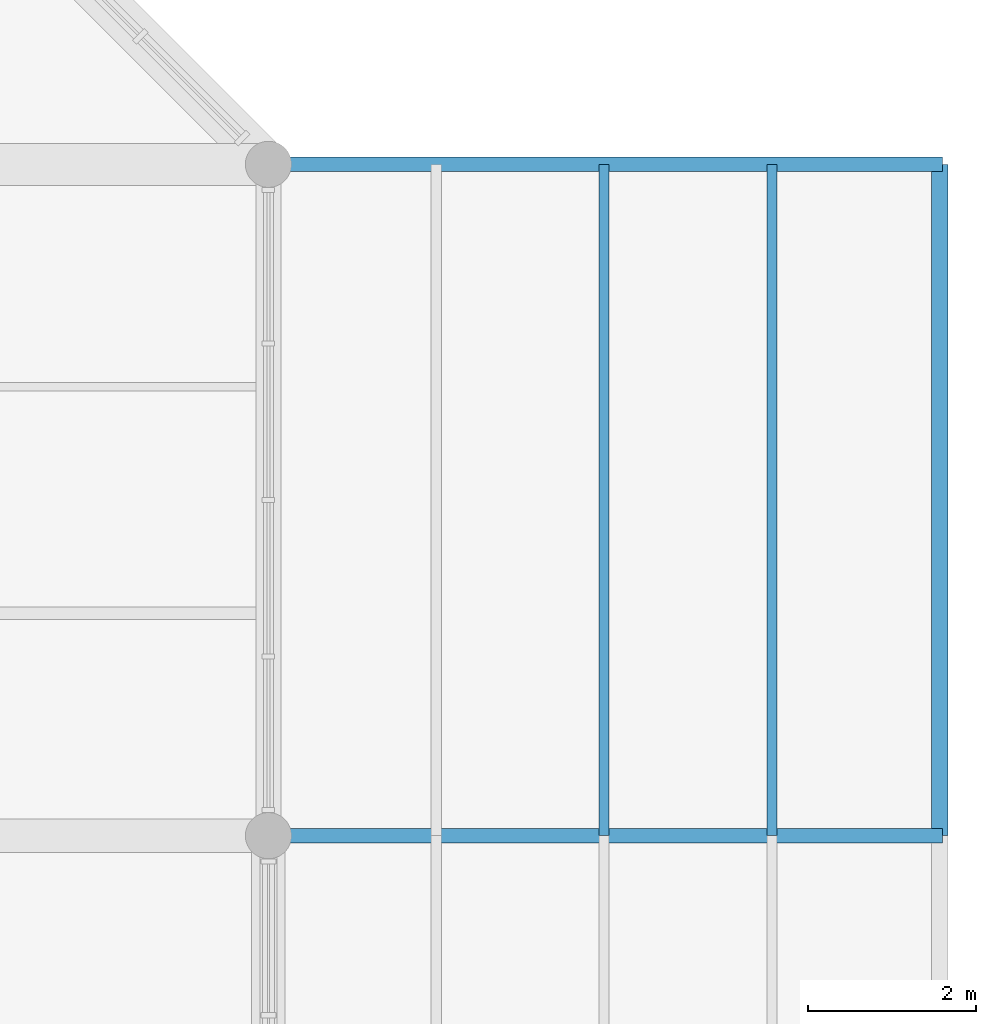
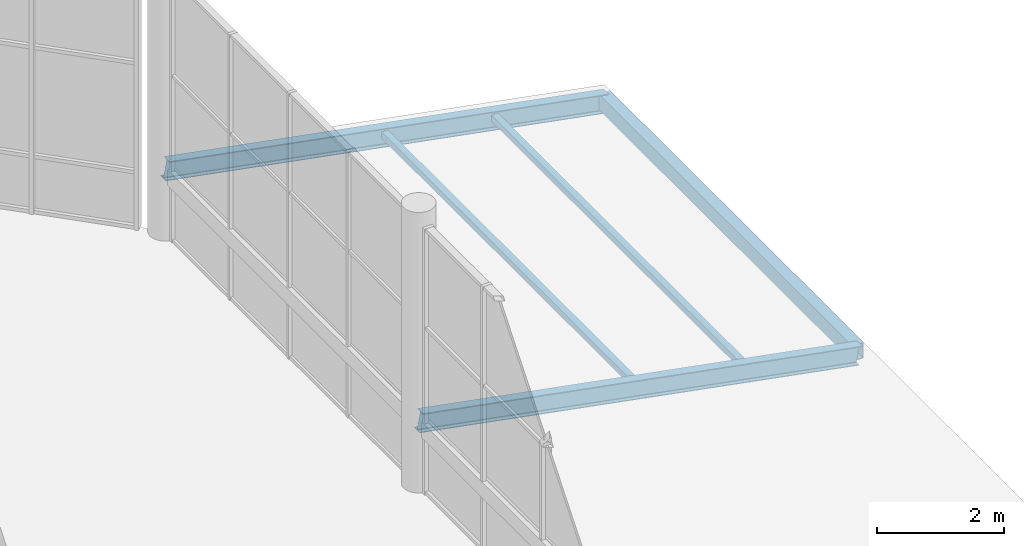
# One storey, part 65 of 122: 3 beams, 2 members.
"""IFC4 building model written with IfcOpenShell, lengths in metres."""

from ifc_helpers import new_model, si_unit, direction, frame, origin, origin_2d, place, context, subcontext, project, spatial, hollow_rectangle, i_section, extrude, material, material_profile, profile_set, type_object, element, save


model = new_model("IFC4")

# Units and contexts
model_context = context("Model", 3, precision=1e-05, world=origin(), true_north=direction((0.0, 1.0)))
body_context = subcontext(model_context, "Body", "Model", "MODEL_VIEW")
ifc_project = project(units=[si_unit("LENGTHUNIT", "METRE"), si_unit("AREAUNIT", "SQUARE_METRE"), si_unit("VOLUMEUNIT", "CUBIC_METRE"), si_unit("PLANEANGLEUNIT", "RADIAN"), si_unit("MASSUNIT", "GRAM", prefix="KILO")], contexts=[model_context])

# Site, building, storey
site_placement = place(None, origin())
site = spatial("IfcSite", under=ifc_project, at=site_placement, CompositionType="ELEMENT")
building_placement = place(site_placement, origin())
building = spatial("IfcBuilding", under=site, at=building_placement, Name="Tenunan Teduh Sports Hall", CompositionType="ELEMENT")
storey_placement = place(building_placement, frame((0.0, 0.0, 5.39990234375)))
storey = spatial("IfcBuildingStorey", under=building, at=storey_placement, Name="L01", CompositionType="ELEMENT", Elevation=5.39990234375)

# Members
ifc_material_1 = material(Name="Steel S355", Category="steel")
ifc_material_profile_1 = material_profile(ifc_material_1, hollow_rectangle(XDim=0.1201171875, YDim=0.1201171875, WallThickness=0.00634765625, at=origin_2d()), Name="SHS 120x120x6.3")
ifc_profile_set_1 = profile_set([ifc_material_profile_1], Name="Steel S355")
member_type = type_object("IfcMemberType", Name="MEM-PR-SHS120", PredefinedType="PURLIN", material=ifc_profile_set_1)
for number, where, z_axis, x_axis, name in (
    (1, (166.0, 102.0, 0.47021484375), (0.0, 1.0, 0.0), (-1.0, 0.0, 0.0), "MEM-PR-02-L01-1033"),
    (2, (168.0, 102.0, 0.09521484375), (0.0, 1.0, 0.0), (-1.0, 0.0, 0.0), "MEM-PR-02-L01-1034"),
):
    element("IfcMember", number, at=place(storey_placement, frame(where, z_axis=z_axis, x_axis=x_axis)), inside=storey, type_object=member_type, Name=name, PredefinedType="PURLIN", context=body_context, shape_type="SweptSolid", body=[
        extrude(hollow_rectangle(XDim=0.1201171875, YDim=0.1201171875, WallThickness=0.00634765625, at=origin_2d()), origin(), (0.0, 0.0, 1.0), 7.996337890625),
    ])

# Beams
ifc_material_2 = material(Name="Steel S355", Category="steel")
ifc_material_profile_2 = material_profile(ifc_material_2, hollow_rectangle(XDim=0.199951171875, YDim=0.300048828125, WallThickness=0.010009765625, at=origin_2d()), Name="RHS 300x200x10.0")
ifc_profile_set_2 = profile_set([ifc_material_profile_2], Name="Steel S355")
beam_type_1 = type_object("IfcBeamType", Name="RBM-RHS300", PredefinedType="BEAM", material=ifc_profile_set_2)
beam_placement = place(storey_placement, frame((170.0, 102.0, -0.27978515625), z_axis=(0.0, 1.0, 0.0), x_axis=(-1.0, 0.0, 0.0)))
element("IfcBeam", 3, at=beam_placement, inside=storey, type_object=beam_type_1, Name="Perimeter Ring Beam BM-RB-03-L01-0581", PredefinedType="BEAM", context=body_context, shape_type="SweptSolid", body=[
    extrude(hollow_rectangle(XDim=0.199951171875, YDim=0.300048828125, WallThickness=0.010009765625, at=origin_2d()), origin(), (0.0, 0.0, 1.0), 8.0),
])
ifc_material_3 = material(Name="Steel S355", Category="steel")
ifc_material_profile_3 = material_profile(ifc_material_3, i_section(OverallWidth=0.17138671875, OverallDepth=0.35498046875, WebThickness=0.00732421875, FlangeThickness=0.011474609375, FilletRadius=0.01025390625, at=origin_2d()), Name="UKB 356x171x51")
ifc_profile_set_3 = profile_set([ifc_material_profile_3], Name="Steel S355")
beam_type_2 = type_object("IfcBeamType", Name="SBM-UKB356", PredefinedType="BEAM", material=ifc_profile_set_3)
for number, where, z_axis, x_axis, name in (
    (4, (170.0, 102.0, -0.2998046875), (-0.982872186934, 0.0, 0.18428853505), (0.0, -1.0, 0.0), "BM-SB-02-L01-0580"),
    (5, (170.0, 110.0, -0.2998046875), (-0.982872186934, 0.0, 0.18428853505), (0.0, -1.0, 0.0), "BM-SB-02-L01-0583"),
):
    element("IfcBeam", number, at=place(storey_placement, frame(where, z_axis=z_axis, x_axis=x_axis)), inside=storey, type_object=beam_type_2, Name=name, PredefinedType="BEAM", context=body_context, shape_type="SweptSolid", body=[
        extrude(i_section(OverallWidth=0.17138671875, OverallDepth=0.35498046875, WebThickness=0.00732421875, FlangeThickness=0.011474609375, FilletRadius=0.01025390625, at=origin_2d()), origin(), (0.0, 0.0, 1.0), 8.139404296875),
    ])

save(model, "model.ifc")
